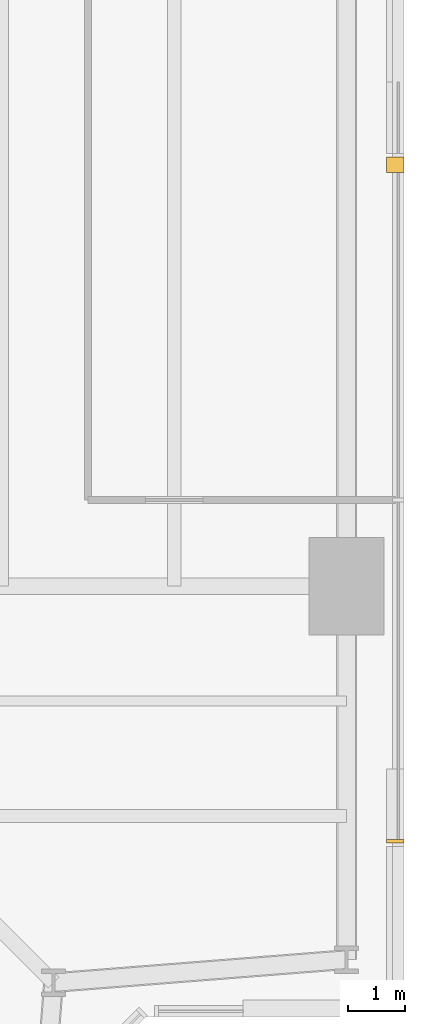
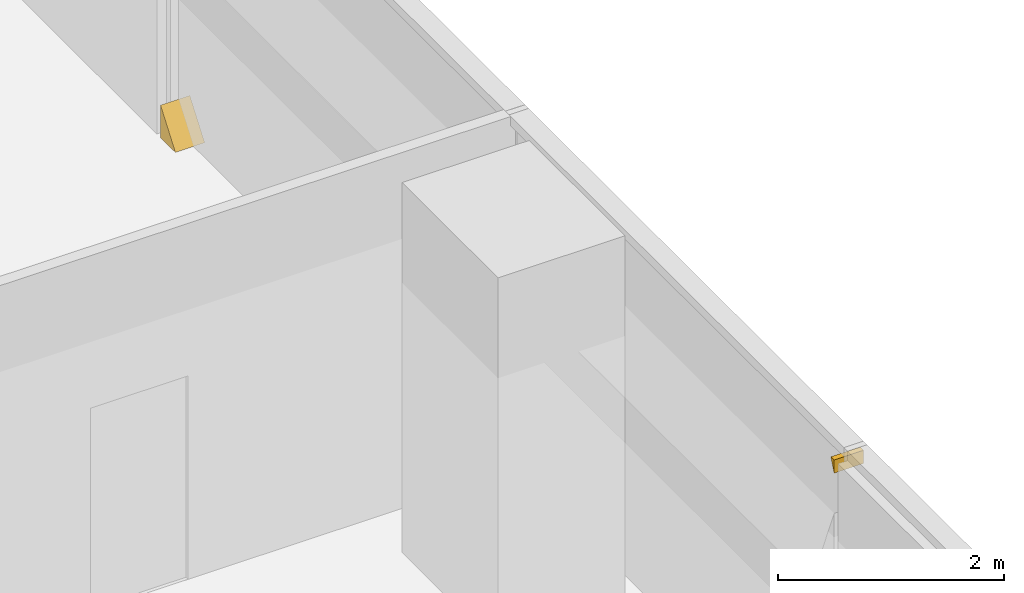
# One storey, part 15 of 16: 2 coverings.
"""IFC4 building model written with IfcOpenShell, lengths in metres."""

from ifc_helpers import new_model, si_unit, direction, frame, origin, place, context, subcontext, project, spatial, polyline, outline, extrude, material, layer, layer_set, type_object, element, save


model = new_model("IFC4")

# Units and contexts
model_context = context("Model", 3, precision=1e-05, world=origin(), true_north=direction((0.0, 1.0)))
body_context = subcontext(model_context, "Body", "Model", "MODEL_VIEW")
ifc_project = project(units=[si_unit("LENGTHUNIT", "METRE"), si_unit("AREAUNIT", "SQUARE_METRE"), si_unit("VOLUMEUNIT", "CUBIC_METRE"), si_unit("PLANEANGLEUNIT", "RADIAN"), si_unit("MASSUNIT", "GRAM", prefix="KILO")], contexts=[model_context])

# Site, building, storey
site_placement = place(None, origin())
site = spatial("IfcSite", under=ifc_project, at=site_placement, CompositionType="ELEMENT")
building_placement = place(site_placement, origin())
building = spatial("IfcBuilding", under=site, at=building_placement, Name="Fenwick Lantern Interchange", CompositionType="ELEMENT")
storey_placement = place(building_placement, frame((0.0, 0.0, 213.800048828125)))
storey = spatial("IfcBuildingStorey", under=building, at=storey_placement, Name="L50", CompositionType="ELEMENT", Elevation=213.800048828125)

# Coverings
ifc_material = material(Name="Granite cladding, warm grey flamed finish, on aluminium carrier frame", Category="masonry")
ifc_layer = layer(ifc_material, 0.300048828125)
ifc_layer_set = layer_set([ifc_layer], Name="BRACE CASING PANEL 300")
covering_type = type_object("IfcCoveringType", Name="BRACE CASING PANEL 300", PredefinedType="CLADDING", material=ifc_layer_set)
covering_1_placement = place(storey_placement, frame((49.89990234375, 5.60009765625, 3.608154296875), z_axis=(0.0, 0.0, 1.0), x_axis=(0.0, 1.0, 0.0)))
element("IfcCovering", 1, at=covering_1_placement, inside=storey, type_object=covering_type, Name="Brace casing 05 bay 01b", PredefinedType="CLADDING", context=body_context, shape_type="SweptSolid", body=[
    extrude(outline(polyline([(2.9326171875, 0.0), (2.990478515625, 0.141845703125), (2.9326171875, 0.141845703125), (2.9326171875, 0.0)])), frame((0.0, 0.2001953125, 0.0), z_axis=(0.0, -1.0, 0.0), x_axis=(1.0, 0.0, 0.0)), (0.0, 0.0, 1.0), 0.300048828125),
])
covering_2_placement = place(storey_placement, frame((49.89990234375, 5.60009765625, 0.0), z_axis=(0.0, 0.0, 1.0), x_axis=(0.0, 1.0, 0.0)))
element("IfcCovering", 2, at=covering_2_placement, inside=storey, type_object=covering_type, Name="Brace casing 05 bay 02a", PredefinedType="CLADDING", context=body_context, shape_type="SweptSolid", body=[
    extrude(outline(polyline([(14.6044921875, 0.0), (14.867431640625, 0.0), (14.867431640625, 0.3505859375), (14.6044921875, 0.0)])), frame((0.0, 0.2001953125, 0.0), z_axis=(0.0, -1.0, 0.0), x_axis=(1.0, 0.0, 0.0)), (0.0, 0.0, 1.0), 0.300048828125),
])

save(model, "model.ifc")
